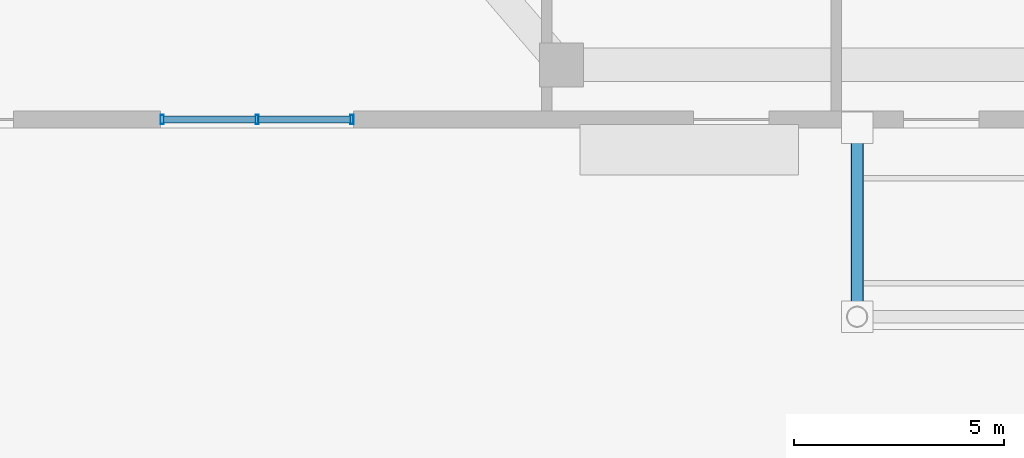
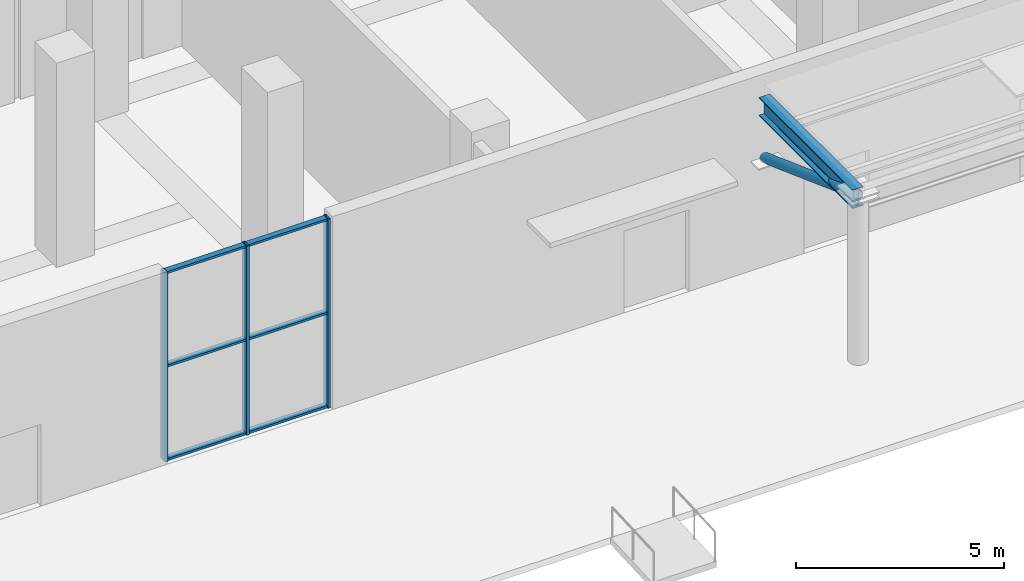
# One storey, part 4 of 25: 10 members, 1 beam, 1 element without a shape of its own.
"""IFC4 building model written with IfcOpenShell, lengths in metres."""

from ifc_helpers import new_model, si_unit, direction, frame, origin, origin_2d, place, context, subcontext, project, spatial, hollow_rectangle, hollow_circle, i_section, extrude, source, transform, mapped, material, layer, layer_set, material_profile, profile_set, type_object, element, aggregate, save


model = new_model("IFC4")

# Units and contexts
model_context = context("Model", 3, precision=1e-05, world=origin(), true_north=direction((0.0, 1.0)))
body_context = subcontext(model_context, "Body", "Model", "MODEL_VIEW")
ifc_project = project(units=[si_unit("LENGTHUNIT", "METRE"), si_unit("AREAUNIT", "SQUARE_METRE"), si_unit("VOLUMEUNIT", "CUBIC_METRE"), si_unit("PLANEANGLEUNIT", "RADIAN"), si_unit("MASSUNIT", "GRAM", prefix="KILO"), si_unit("THERMODYNAMICTEMPERATUREUNIT", "KELVIN")], contexts=[model_context])

# Site, building, storey
site_placement = place(None, origin())
site = spatial("IfcSite", under=ifc_project, at=site_placement, CompositionType="ELEMENT")
building_placement = place(site_placement, origin())
building = spatial("IfcBuilding", under=site, at=building_placement, Name="Kosmvard Interchange Tower", CompositionType="ELEMENT")
storey_placement = place(building_placement, origin())
storey = spatial("IfcBuildingStorey", under=building, at=storey_placement, Name="L00", CompositionType="ELEMENT", Elevation=0.0)

# Beam
ifc_material_1 = material(Name="Steel S355", Category="steel")
ifc_material_profile_1 = material_profile(ifc_material_1, i_section(OverallWidth=0.300048828125, OverallDepth=0.550048828125, WebThickness=0.014892578125, FlangeThickness=0.029052734375, FilletRadius=0.027099609375, at=origin_2d()), Name="HEB 550")
ifc_profile_set_1 = profile_set([ifc_material_profile_1], Name="Steel S355")
beam_type = type_object("IfcBeamType", Name="Crown Ring Cap Girder HEB 550 S355", PredefinedType="BEAM", material=ifc_profile_set_1)
shared_shape_1 = source(origin(), body_context, "Body", "SweptSolid", [
    extrude(i_section(OverallWidth=0.300048828125, OverallDepth=0.550048828125, WebThickness=0.014892578125, FlangeThickness=0.029052734375, FilletRadius=0.027099609375, at=origin_2d()), origin(), (0.0, 0.0, 1.0), 4.5),
])
beam_placement = place(storey_placement, frame((-18.0, -27.0, 4.7451171875), z_axis=(0.0, -1.0, 0.0), x_axis=(1.0, 0.0, 0.0)))
element("IfcBeam", 1, at=beam_placement, inside=storey, type_object=beam_type, Name="BM-L00-CTS1", PredefinedType="BEAM", context=body_context, shape_type="MappedRepresentation", body=[
    mapped(shared_shape_1, transform((0.0, 0.0, 0.0), scale=1.0)),
])

# Member
ifc_material_profile_2 = material_profile(ifc_material_1, hollow_circle(Radius=0.136474609375, WallThickness=0.01611328125, at=origin_2d()), Name="CHS 273x16")
ifc_profile_set_2 = profile_set([ifc_material_profile_2], Name="Steel S355")
member_type_1 = type_object("IfcMemberType", Name="Podium Canopy Inclined Strut CHS 273x16 S355", PredefinedType="STRUT", material=ifc_profile_set_2)
shared_shape_2 = source(origin(), body_context, "Body", "SweptSolid", [
    extrude(hollow_circle(Radius=0.136474609375, WallThickness=0.01611328125, at=origin_2d()), origin(), (0.0, 0.0, 1.0), 4.79296875),
])
member_1_placement = place(storey_placement, frame((-18.0, -27.0, 3.199951171875), z_axis=(0.0, -0.93886643746, 0.344281589127), x_axis=(1.0, 0.0, 0.0)))
element("IfcMember", 2, at=member_1_placement, inside=storey, type_object=member_type_1, Name="L00 Entrance Canopy Strut S1", PredefinedType="STRUT", context=body_context, shape_type="MappedRepresentation", body=[
    mapped(shared_shape_2, transform((0.0, 0.0, 0.0), scale=1.0)),
])

# Curtain wall, members
ifc_material_2 = material(Name="Architectural anodised aluminium", Category="aluminium")
ifc_layer = layer(ifc_material_2, 0.219970703125, Name="Architectural anodised aluminium")
ifc_layer_set = layer_set([ifc_layer], Name="Architectural anodised aluminium")
curtain_wall_type = type_object("IfcCurtainWallType", Name="CW-1 Concourse Shopfront Curtain Wall", PredefinedType="NOTDEFINED", material=ifc_layer_set)
curtain_wall_placement = place(storey_placement, origin())
curtain_wall = element("IfcCurtainWall", 3, at=curtain_wall_placement, inside=storey, type_object=curtain_wall_type, Name="L00 Shopfront Curtain Wall CW1-S1", PredefinedType="NOTDEFINED")
ifc_material_profile_3 = material_profile(ifc_material_2, hollow_rectangle(XDim=0.219970703125, YDim=0.074951171875, WallThickness=0.0048828125, at=origin_2d()), Name="CWM 220x75x5")
ifc_profile_set_3 = profile_set([ifc_material_profile_3], Name="Architectural anodised aluminium")
member_type_2 = type_object("IfcMemberType", Name="Concourse CW Mullion 220x75 Aluminium", PredefinedType="MULLION", material=ifc_profile_set_3)
shared_shape_3 = source(origin(), body_context, "Body", "SweptSolid", [
    extrude(hollow_rectangle(XDim=0.219970703125, YDim=0.074951171875, WallThickness=0.0048828125, at=origin_2d()), origin(), (0.0, 0.0, 1.0), 5.56005859375),
])
member_2_placement = place(storey_placement, frame((-34.5625, -26.800048828125, 0.0), z_axis=(0.0, 0.0, 1.0), x_axis=(0.0, 1.0, 0.0)))
member_2 = element("IfcMember", 4, at=member_2_placement, type_object=member_type_2, Name="CW-1 mullion 1", PredefinedType="MULLION", context=body_context, shape_type="MappedRepresentation", body=[
    mapped(shared_shape_3, transform((0.0, 0.0, 0.0), scale=1.0)),
])
member_3_placement = place(storey_placement, frame((-32.300048828125, -26.800048828125, 0.0), z_axis=(0.0, 0.0, 1.0), x_axis=(0.0, 1.0, 0.0)))
member_3 = element("IfcMember", 5, at=member_3_placement, type_object=member_type_2, Name="CW-1 mullion 2", PredefinedType="MULLION", context=body_context, shape_type="MappedRepresentation", body=[
    mapped(shared_shape_3, transform((0.0, 0.0, 0.0), scale=1.0)),
])
member_4_placement = place(storey_placement, frame((-30.03759765625, -26.800048828125, 0.0), z_axis=(0.0, 0.0, 1.0), x_axis=(0.0, 1.0, 0.0)))
member_4 = element("IfcMember", 6, at=member_4_placement, type_object=member_type_2, Name="CW-1 mullion 3", PredefinedType="MULLION", context=body_context, shape_type="MappedRepresentation", body=[
    mapped(shared_shape_3, transform((0.0, 0.0, 0.0), scale=1.0)),
])
ifc_material_profile_4 = material_profile(ifc_material_2, hollow_rectangle(XDim=0.159912109375, YDim=0.06494140625, WallThickness=0.00390625, at=origin_2d()), Name="CWT 160x65x4")
ifc_profile_set_4 = profile_set([ifc_material_profile_4], Name="Architectural anodised aluminium")
member_type_3 = type_object("IfcMemberType", Name="Standard CW Transom 160x65 Aluminium", PredefinedType="USERDEFINED", material=ifc_profile_set_4)
shared_shape_4 = source(origin(), body_context, "Body", "SweptSolid", [
    extrude(hollow_rectangle(XDim=0.159912109375, YDim=0.06494140625, WallThickness=0.00390625, at=origin_2d()), origin(), (0.0, 0.0, 1.0), 2.1875),
])
member_5_placement = place(storey_placement, frame((-34.52490234375, -26.800048828125, 0.032470703125), z_axis=(1.0, 0.0, 0.0), x_axis=(0.0, 1.0, 0.0)))
member_5 = element("IfcMember", 7, at=member_5_placement, type_object=member_type_3, Name="CW-1 transom 1.1", ObjectType="TRANSOM", PredefinedType="USERDEFINED", context=body_context, shape_type="MappedRepresentation", body=[
    mapped(shared_shape_4, transform((0.0, 0.0, 0.0), scale=1.0)),
])
member_6_placement = place(storey_placement, frame((-34.52490234375, -26.800048828125, 2.780029296875), z_axis=(1.0, 0.0, 0.0), x_axis=(0.0, 1.0, 0.0)))
member_6 = element("IfcMember", 8, at=member_6_placement, type_object=member_type_3, Name="CW-1 transom 1.2", ObjectType="TRANSOM", PredefinedType="USERDEFINED", context=body_context, shape_type="MappedRepresentation", body=[
    mapped(shared_shape_4, transform((0.0, 0.0, 0.0), scale=1.0)),
])
member_7_placement = place(storey_placement, frame((-34.52490234375, -26.800048828125, 5.527587890625), z_axis=(1.0, 0.0, 0.0), x_axis=(0.0, 1.0, 0.0)))
member_7 = element("IfcMember", 9, at=member_7_placement, type_object=member_type_3, Name="CW-1 transom 1.3", ObjectType="TRANSOM", PredefinedType="USERDEFINED", context=body_context, shape_type="MappedRepresentation", body=[
    mapped(shared_shape_4, transform((0.0, 0.0, 0.0), scale=1.0)),
])
member_8_placement = place(storey_placement, frame((-32.262451171875, -26.800048828125, 0.032470703125), z_axis=(1.0, 0.0, 0.0), x_axis=(0.0, 1.0, 0.0)))
member_8 = element("IfcMember", 10, at=member_8_placement, type_object=member_type_3, Name="CW-1 transom 2.1", ObjectType="TRANSOM", PredefinedType="USERDEFINED", context=body_context, shape_type="MappedRepresentation", body=[
    mapped(shared_shape_4, transform((0.0, 0.0, 0.0), scale=1.0)),
])
member_9_placement = place(storey_placement, frame((-32.262451171875, -26.800048828125, 2.780029296875), z_axis=(1.0, 0.0, 0.0), x_axis=(0.0, 1.0, 0.0)))
member_9 = element("IfcMember", 11, at=member_9_placement, type_object=member_type_3, Name="CW-1 transom 2.2", ObjectType="TRANSOM", PredefinedType="USERDEFINED", context=body_context, shape_type="MappedRepresentation", body=[
    mapped(shared_shape_4, transform((0.0, 0.0, 0.0), scale=1.0)),
])
member_10_placement = place(storey_placement, frame((-32.262451171875, -26.800048828125, 5.527587890625), z_axis=(1.0, 0.0, 0.0), x_axis=(0.0, 1.0, 0.0)))
member_10 = element("IfcMember", 12, at=member_10_placement, type_object=member_type_3, Name="CW-1 transom 2.3", ObjectType="TRANSOM", PredefinedType="USERDEFINED", context=body_context, shape_type="MappedRepresentation", body=[
    mapped(shared_shape_4, transform((0.0, 0.0, 0.0), scale=1.0)),
])
aggregate(curtain_wall, [member_2, member_3, member_4, member_5, member_6, member_7, member_8, member_9, member_10])

save(model, "model.ifc")
